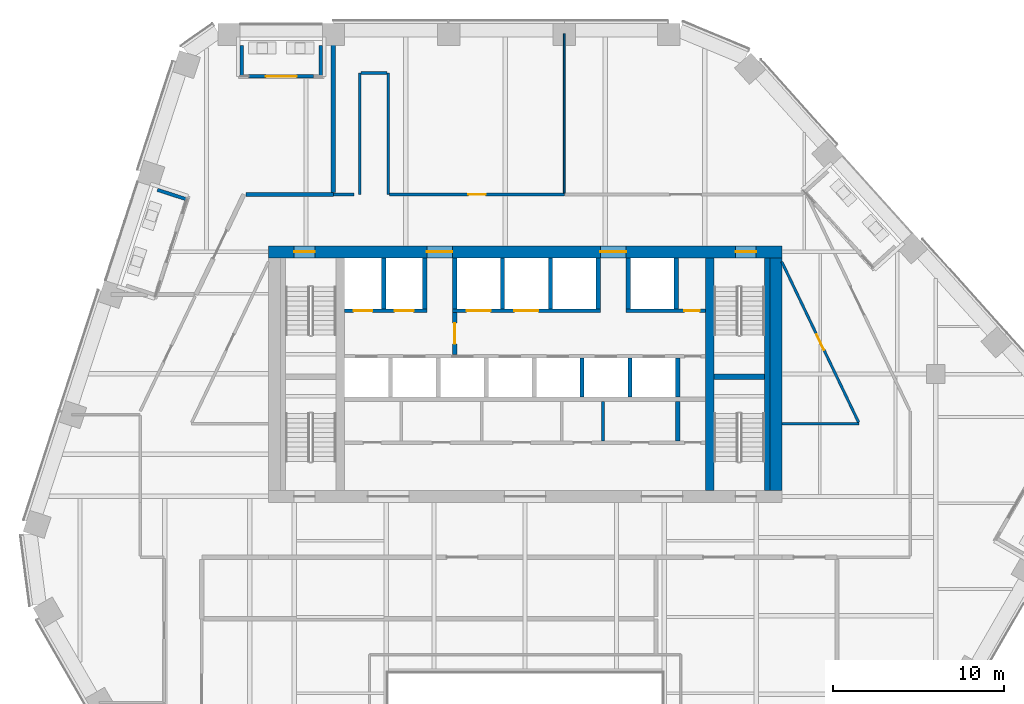
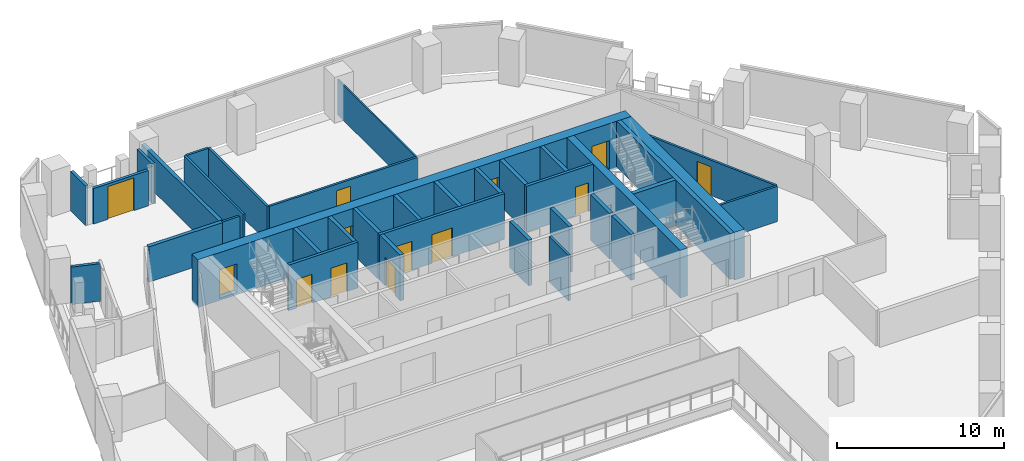
# One storey, part 21 of 26: 36 walls, 13 doors, 13 openings.
"""IFC4 building model written with IfcOpenShell, lengths in metres."""

from ifc_helpers import new_model, si_unit, direction, frame, frame_2d, origin, place, context, subcontext, project, spatial, rectangle, extrude, material, layer, layer_set, type_object, element, fill, save


model = new_model("IFC4")

# Units and contexts
model_context = context("Model", 3, precision=1e-05, world=origin(), true_north=direction((0.0, 1.0)))
body_context = subcontext(model_context, "Body", "Model", "MODEL_VIEW")
ifc_project = project(units=[si_unit("LENGTHUNIT", "METRE"), si_unit("AREAUNIT", "SQUARE_METRE"), si_unit("VOLUMEUNIT", "CUBIC_METRE"), si_unit("PLANEANGLEUNIT", "RADIAN"), si_unit("MASSUNIT", "GRAM", prefix="KILO")], contexts=[model_context])

# Site, building, storey
site_placement = place(None, origin())
site = spatial("IfcSite", under=ifc_project, at=site_placement, CompositionType="ELEMENT")
building_placement = place(site_placement, origin())
building = spatial("IfcBuilding", under=site, at=building_placement, Name="Isthmus Gate Tower", CompositionType="ELEMENT")
storey_placement = place(building_placement, frame((0.0, 0.0, 203.64990234375)))
storey = spatial("IfcBuildingStorey", under=building, at=storey_placement, Name="L51", CompositionType="ELEMENT", Elevation=203.64990234375)

# Walls
ifc_material_1 = material(Name="Double-leaf acoustic stud wall, fire-rated", Category="gypsum")
ifc_layer_1 = layer(ifc_material_1, 0.25)
ifc_layer_set_1 = layer_set([ifc_layer_1], Name="ACOUSTIC WALL 250 60 MIN")
wall_type_1 = type_object("IfcWallType", Name="ACOUSTIC WALL 250 60 MIN", PredefinedType="PARTITIONING", material=ifc_layer_set_1)
wall_1_placement = place(storey_placement, frame((-16.320068359375, 18.0, 0.0), z_axis=(0.0, 0.0, 1.0), x_axis=(1.0, 0.0, 0.0)))
element("IfcWall", 1, at=wall_1_placement, inside=storey, type_object=wall_type_1, Name="L51 Acoustic Wall 250 60 Min", PredefinedType="PARTITIONING", context=body_context, shape_type="SweptSolid", body=[
    extrude(rectangle(XDim=5.108154296875, YDim=0.25, at=frame_2d((2.55419921875, 0.0))), origin(), (0.0, 0.0, 1.0), 2.59130859375),
])
wall_2_placement = place(storey_placement, frame((-11.2119140625, 18.125, 0.0), z_axis=(0.0, 0.0, 1.0), x_axis=(0.0, 1.0, 0.0)))
element("IfcWall", 2, at=wall_2_placement, inside=storey, type_object=wall_type_1, Name="L51 Acoustic Wall 250 60 Min", PredefinedType="PARTITIONING", context=body_context, shape_type="SweptSolid", body=[
    extrude(rectangle(XDim=9.27490234375, YDim=0.25, at=frame_2d((4.637451171875, 0.0))), origin(), (0.0, 0.0, 1.0), 2.59130859375),
])
ifc_material_2 = material(Name="Gypsum board on steel studs, fire-rated", Category="steel")
ifc_layer_2 = layer(ifc_material_2, 0.14990234375)
ifc_layer_set_2 = layer_set([ifc_layer_2], Name="CORRIDOR WALL 150 60 MIN")
wall_type_2 = type_object("IfcWallType", Name="CORRIDOR WALL 150 60 MIN", PredefinedType="PARTITIONING", material=ifc_layer_set_2)
wall_3_placement = place(storey_placement, frame((-8.0, 25.10009765625, 0.0), z_axis=(0.0, 0.0, 1.0), x_axis=(0.0, -1.0, 0.0)))
element("IfcWall", 3, at=wall_3_placement, inside=storey, type_object=wall_type_2, Name="L51 Corridor Wall 150 60 Min", PredefinedType="PARTITIONING", context=body_context, shape_type="SweptSolid", body=[
    extrude(rectangle(XDim=7.10009765625, YDim=0.14990234375, at=frame_2d((3.550048828125, 0.0))), origin(), (0.0, 0.0, 1.0), 2.59130859375),
])

# Wall, opening, door
wall_4_placement = place(storey_placement, frame((19.492919921875, 4.675048828125, 0.0), z_axis=(0.0, 0.0, 1.0), x_axis=(-0.43146462293, 0.902129857149, 0.0)))
wall_4 = element("IfcWall", 4, at=wall_4_placement, inside=storey, type_object=wall_type_2, Name="L51 Corridor Wall 150 60 Min", PredefinedType="PARTITIONING", context=body_context, shape_type="SweptSolid", body=[
    extrude(rectangle(XDim=10.4130859375, YDim=0.14990234375, at=frame_2d((5.20654296875, 0.0))), origin(), (0.0, 0.0, 1.0), 2.59130859375),
])
opening_1_placement = place(wall_4_placement, frame((4.6982421875, 0.0, 0.0)))
opening_1 = element("IfcOpeningElement", 5, at=opening_1_placement, cuts=wall_4, Name="Opening DT-T4D-07", PredefinedType="OPENING", context=body_context, shape_type="SweptSolid", body=[
    extrude(rectangle(XDim=1.0, YDim=2.10009765625, at=frame_2d((0.5, 1.050048828125))), frame((0.0, 0.0849609375, 0.0), z_axis=(0.0, -1.0, 0.0), x_axis=(1.0, 0.0, 0.0)), (0.0, 0.0, 1.0), 0.169921875),
])
ifc_material_3 = material(Name="Solid core timber door leaf, fire-rated", Category="wood")
door_type_1 = type_object("IfcDoorType", Name="FIRE DOOR ROOM 1000 X 2100 60 MIN", OperationType="SINGLE_SWING_LEFT", PredefinedType="DOOR", material=ifc_material_3)
door_1_placement = place(opening_1_placement, origin())
door_1 = element("IfcDoor", 6, at=door_1_placement, inside=storey, type_object=door_type_1, Name="L51 room door", OperationType="SINGLE_SWING_RIGHT", OverallHeight=2.10009765625, OverallWidth=1.0, PredefinedType="DOOR", context=body_context, shape_type="SweptSolid", body=[
    extrude(rectangle(XDim=1.0, YDim=2.10009765625, at=frame_2d((0.5, 1.050048828125))), frame((0.0, 0.02490234375, 0.0), z_axis=(0.0, -1.0, 0.0), x_axis=(1.0, 0.0, 0.0)), (0.0, 0.0, 1.0), 0.050048828125),
])
fill(opening_1, door_1)

# Walls
wall_5_placement = place(storey_placement, frame((-11.2119140625, 18.0, 0.0), z_axis=(0.0, 0.0, 1.0), x_axis=(1.0, 0.0, 0.0)))
element("IfcWall", 7, at=wall_5_placement, inside=storey, type_object=wall_type_2, Name="L51 Corridor Wall 150 60 Min", PredefinedType="PARTITIONING", context=body_context, shape_type="SweptSolid", body=[
    extrude(rectangle(XDim=1.2099609375, YDim=0.14990234375, at=frame_2d((0.60498046875, 0.0))), origin(), (0.0, 0.0, 1.0), 2.59130859375),
])
wall_6_placement = place(storey_placement, frame((-9.659912109375, 17.998046875, 0.0), z_axis=(0.0, 0.0, 1.0), x_axis=(0.0, 1.0, 0.0)))
element("IfcWall", 8, at=wall_6_placement, inside=storey, type_object=wall_type_2, Name="L51 Corridor Wall 150 60 Min", PredefinedType="PARTITIONING", context=body_context, shape_type="SweptSolid", body=[
    extrude(rectangle(XDim=7.10205078125, YDim=0.14990234375, at=frame_2d((3.551025390625, 0.0))), origin(), (0.0, 0.0, 1.0), 2.59130859375),
])
wall_7_placement = place(storey_placement, frame((-9.5849609375, 25.10009765625, 0.0), z_axis=(0.0, 0.0, 1.0), x_axis=(1.0, 0.0, 0.0)))
element("IfcWall", 9, at=wall_7_placement, inside=storey, type_object=wall_type_2, Name="L51 Corridor Wall 150 60 Min", PredefinedType="PARTITIONING", context=body_context, shape_type="SweptSolid", body=[
    extrude(rectangle(XDim=1.510009765625, YDim=0.14990234375, at=frame_2d((0.7548828125, 0.0))), origin(), (0.0, 0.0, 1.0), 2.59130859375),
])

# Wall, opening, door
wall_8_placement = place(storey_placement, frame((-7.925048828125, 18.0, 0.0), z_axis=(0.0, 0.0, 1.0), x_axis=(1.0, 0.0, 0.0)))
wall_8 = element("IfcWall", 10, at=wall_8_placement, inside=storey, type_object=wall_type_2, Name="L51 Corridor Wall 150 60 Min", PredefinedType="PARTITIONING", context=body_context, shape_type="SweptSolid", body=[
    extrude(rectangle(XDim=10.213134765625, YDim=0.14990234375, at=frame_2d((5.1064453125, 0.0))), origin(), (0.0, 0.0, 1.0), 2.59130859375),
])
opening_2_placement = place(wall_8_placement, frame((4.6064453125, 0.0, 0.0)))
opening_2 = element("IfcOpeningElement", 11, at=opening_2_placement, cuts=wall_8, Name="Opening DT-T4D-01", PredefinedType="OPENING", context=body_context, shape_type="SweptSolid", body=[
    extrude(rectangle(XDim=1.0, YDim=2.10009765625, at=frame_2d((0.5, 1.050048828125))), frame((0.0, 0.0849609375, 0.0), z_axis=(0.0, -1.0, 0.0), x_axis=(1.0, 0.0, 0.0)), (0.0, 0.0, 1.0), 0.169921875),
])
door_2_placement = place(opening_2_placement, origin())
door_2 = element("IfcDoor", 12, at=door_2_placement, inside=storey, type_object=door_type_1, Name="L51 room door", OperationType="SINGLE_SWING_RIGHT", OverallHeight=2.10009765625, OverallWidth=1.0, PredefinedType="DOOR", context=body_context, shape_type="SweptSolid", body=[
    extrude(rectangle(XDim=1.0, YDim=2.10009765625, at=frame_2d((0.5, 1.050048828125))), frame((0.0, 0.02490234375, 0.0), z_axis=(0.0, -1.0, 0.0), x_axis=(1.0, 0.0, 0.0)), (0.0, 0.0, 1.0), 0.050048828125),
])
fill(opening_2, door_2)

# Wall
wall_9_placement = place(storey_placement, frame((15.0, 4.60009765625, 0.0), z_axis=(0.0, 0.0, 1.0), x_axis=(1.0, 0.0, 0.0)))
element("IfcWall", 13, at=wall_9_placement, inside=storey, type_object=wall_type_2, Name="L51 Corridor Wall 150 60 Min", PredefinedType="PARTITIONING", context=body_context, shape_type="SweptSolid", body=[
    extrude(rectangle(XDim=4.5, YDim=0.14990234375, at=frame_2d((2.25, 0.0))), origin(), (0.0, 0.0, 1.0), 2.59130859375),
])

# Wall, opening, door
ifc_material_4 = material(Name="Fire-rated blockwork masonry, 15 MPa", Category="masonry")
ifc_layer_3 = layer(ifc_material_4, 0.25)
ifc_layer_set_3 = layer_set([ifc_layer_3], Name="FIRE-FIGHTING LOBBY WALL 250 90 MIN")
wall_type_3 = type_object("IfcWallType", Name="FIRE-FIGHTING LOBBY WALL 250 90 MIN", PredefinedType="PARTITIONING", material=ifc_layer_set_3)
wall_10_placement = place(storey_placement, frame((-4.125, 8.64990234375, 0.0), z_axis=(0.0, 0.0, 1.0), x_axis=(0.0, 1.0, 0.0)))
wall_10 = element("IfcWall", 14, at=wall_10_placement, inside=storey, type_object=wall_type_3, Name="L51 FIRE-FIGHTING LOBBY WALL 250 90 MIN", PredefinedType="PARTITIONING", context=body_context, shape_type="SweptSolid", body=[
    extrude(rectangle(XDim=2.4501953125, YDim=0.25, at=frame_2d((1.22509765625, 0.0))), origin(), (0.0, 0.0, 1.0), 3.35009765625),
])
opening_3_placement = place(wall_10_placement, frame((0.625, 0.0, 0.0)))
opening_3 = element("IfcOpeningElement", 15, at=opening_3_placement, cuts=wall_10, Name="Opening DC-A10-01", PredefinedType="OPENING", context=body_context, shape_type="SweptSolid", body=[
    extrude(rectangle(XDim=1.199951171875, YDim=2.10009765625, at=frame_2d((0.60009765625, 1.050048828125))), frame((0.0, 0.135009765625, 0.0), z_axis=(0.0, -1.0, 0.0), x_axis=(1.0, 0.0, 0.0)), (0.0, 0.0, 1.0), 0.27001953125),
])
ifc_material_5 = material(Name="Steel door leaf, fire-rated", Category="steel")
door_type_2 = type_object("IfcDoorType", Name="LOBBY FIRE DOOR 1200 X 2100 90 MIN", OperationType="DOUBLE_DOOR_SINGLE_SWING", PredefinedType="DOOR", material=ifc_material_5)
door_3_placement = place(opening_3_placement, origin())
door_3 = element("IfcDoor", 16, at=door_3_placement, inside=storey, type_object=door_type_2, Name="Fire-fighting Lobby Door", OperationType="SINGLE_SWING_LEFT", OverallHeight=2.10009765625, OverallWidth=1.199951171875, PredefinedType="DOOR", context=body_context, shape_type="SweptSolid", body=[
    extrude(rectangle(XDim=1.199951171875, YDim=2.10009765625, at=frame_2d((0.60009765625, 1.050048828125))), frame((0.0, 0.02490234375, 0.0), z_axis=(0.0, -1.0, 0.0), x_axis=(1.0, 0.0, 0.0)), (0.0, 0.0, 1.0), 0.050048828125),
])
fill(opening_3, door_3)

ifc_material_6 = material(Name="Precast concrete C40/50", Category="concrete")
ifc_layer_4 = layer(ifc_material_6, 0.199951171875)
ifc_layer_set_4 = layer_set([ifc_layer_4], Name="LOGGIA WALL 200")
wall_type_4 = type_object("IfcWallType", Name="LOGGIA WALL 200", PredefinedType="SOLIDWALL", material=ifc_layer_set_4)
wall_11_placement = place(storey_placement, frame((-12.36181640625, 24.89990234375, 0.0), z_axis=(0.0, 0.0, 1.0), x_axis=(-1.0, 0.0, 0.0)))
wall_11 = element("IfcWall", 17, at=wall_11_placement, inside=storey, type_object=wall_type_4, Name="LOGGIA BACK WALL", PredefinedType="SOLIDWALL", context=body_context, shape_type="SweptSolid", body=[
    extrude(rectangle(XDim=3.800048828125, YDim=0.199951171875, at=frame_2d((1.89990234375, 0.0))), origin(), (0.0, 0.0, 1.0), 2.600830078125),
])
opening_4_placement = place(wall_11_placement, frame((1.0, 0.0, 0.0)))
opening_4 = element("IfcOpeningElement", 18, at=opening_4_placement, cuts=wall_11, Name="Opening DE51-01", PredefinedType="OPENING", context=body_context, shape_type="SweptSolid", body=[
    extrude(rectangle(XDim=1.800048828125, YDim=2.39990234375, at=frame_2d((0.89990234375, 1.199951171875))), frame((0.0, 0.10986328125, 0.0), z_axis=(0.0, -1.0, 0.0), x_axis=(1.0, 0.0, 0.0)), (0.0, 0.0, 1.0), 0.219970703125),
])
ifc_material_7 = material(Name="Aluminium, pale champagne anodised, laminated glass", Category="aluminium")
door_type_3 = type_object("IfcDoorType", Name="LOGGIA DOOR SLIDING 1800 X 2400", OperationType="DOUBLE_DOOR_SLIDING", PredefinedType="DOOR", material=ifc_material_7)
door_4_placement = place(opening_4_placement, origin())
door_4 = element("IfcDoor", 19, at=door_4_placement, inside=storey, type_object=door_type_3, Name="DOOR DE51-01", OperationType="SINGLE_SWING_LEFT", OverallHeight=2.39990234375, OverallWidth=1.800048828125, PredefinedType="DOOR", context=body_context, shape_type="SweptSolid", body=[
    extrude(rectangle(XDim=1.800048828125, YDim=2.39990234375, at=frame_2d((0.89990234375, 1.199951171875))), frame((0.0, 0.02490234375, 0.0), z_axis=(0.0, -1.0, 0.0), x_axis=(1.0, 0.0, 0.0)), (0.0, 0.0, 1.0), 0.050048828125),
])
fill(opening_4, door_4)

# Walls
for number, where, z_axis, x_axis, name in (
    (20, (-11.9619140625, 26.699951171875, 0.0), (0.0, 0.0, 1.0), (0.0, -1.0, 0.0), "LOGGIA SIDE WALL"),
    (21, (-16.56201171875, 26.699951171875, 0.0), (0.0, 0.0, 1.0), (0.0, -1.0, 0.0), "LOGGIA SIDE WALL"),
):
    element("IfcWall", number, at=place(storey_placement, frame(where, z_axis=z_axis, x_axis=x_axis)), inside=storey, type_object=wall_type_4, Name=name, PredefinedType="SOLIDWALL", context=body_context, shape_type="SweptSolid", body=[
        extrude(rectangle(XDim=1.783935546875, YDim=0.199951171875, at=frame_2d((0.89208984375, 0.0))), origin(), (0.0, 0.0, 1.0), 2.900146484375),
    ])
wall_12_placement = place(storey_placement, frame((-21.494140625, 18.270751953125, 0.0), z_axis=(0.0, 0.0, 1.0), x_axis=(0.951064233263, -0.30899324298, 0.0)))
element("IfcWall", 22, at=wall_12_placement, inside=storey, type_object=wall_type_4, Name="LOGGIA SIDE WALL", PredefinedType="SOLIDWALL", context=body_context, shape_type="SweptSolid", body=[
    extrude(rectangle(XDim=1.7841796875, YDim=0.199951171875, at=frame_2d((0.89208984375, 0.0))), origin(), (0.0, 0.0, 1.0), 2.746826171875),
])
ifc_material_8 = material(Name="Concrete f'c 60 MPa", Category="concrete")
ifc_layer_5 = layer(ifc_material_8, 0.5)
ifc_layer_set_5 = layer_set([ifc_layer_5], Name="RC CORE SPINE WALL 500 F'C 60")
wall_type_5 = type_object("IfcWallType", Name="RC CORE SPINE WALL 500 F'C 60", PredefinedType="SOLIDWALL", material=ifc_layer_set_5)
wall_13_placement = place(storey_placement, frame((10.800048828125, 0.699951171875, -0.14990234375), z_axis=(0.0, 0.0, 1.0), x_axis=(0.0, 1.0, 0.0)))
element("IfcWall", 23, at=wall_13_placement, inside=storey, type_object=wall_type_5, Name="str-corewall-L51-SPE", PredefinedType="SOLIDWALL", context=body_context, shape_type="SweptSolid", body=[
    extrude(rectangle(XDim=13.60009765625, YDim=0.5, at=frame_2d((6.800048828125, 0.0))), origin(), (0.0, 0.0, 1.0), 3.5),
])

# Wall, openings, doors
ifc_material_9 = material(Name="Concrete f'c 60 MPa", Category="concrete")
ifc_layer_6 = layer(ifc_material_9, 0.699951171875)
ifc_layer_set_6 = layer_set([ifc_layer_6], Name="RC CORE WALL 700 F'C 60")
wall_type_6 = type_object("IfcWallType", Name="RC CORE WALL 700 F'C 60", PredefinedType="SOLIDWALL", material=ifc_layer_set_6)
wall_14_placement = place(storey_placement, frame((-15.0, 14.64990234375, -0.14990234375), z_axis=(0.0, 0.0, 1.0), x_axis=(1.0, 0.0, 0.0)))
wall_14 = element("IfcWall", 24, at=wall_14_placement, inside=storey, type_object=wall_type_6, Name="str-corewall-L51-N", PredefinedType="SOLIDWALL", context=body_context, shape_type="SweptSolid", body=[
    extrude(rectangle(XDim=30.0, YDim=0.699951171875, at=frame_2d((15.0, 0.0))), origin(), (0.0, 0.0, 1.0), 3.5),
])
opening_5_placement = place(wall_14_placement, frame((9.25, 0.0, 0.14990234375)))
opening_5 = element("IfcOpeningElement", 25, at=opening_5_placement, cuts=wall_14, Name="Opening DC-A10-13", PredefinedType="OPENING", context=body_context, shape_type="SweptSolid", body=[
    extrude(rectangle(XDim=1.5, YDim=2.10009765625, at=frame_2d((0.75, 1.050048828125))), frame((0.0, 0.35986328125, 0.0), z_axis=(0.0, -1.0, 0.0), x_axis=(1.0, 0.0, 0.0)), (0.0, 0.0, 1.0), 0.719970703125),
])
opening_6_placement = place(wall_14_placement, frame((19.39990234375, 0.0, 0.14990234375)))
opening_6 = element("IfcOpeningElement", 26, at=opening_6_placement, cuts=wall_14, Name="Opening DC-A10-14", PredefinedType="OPENING", context=body_context, shape_type="SweptSolid", body=[
    extrude(rectangle(XDim=1.5, YDim=2.10009765625, at=frame_2d((0.75, 1.050048828125))), frame((0.0, 0.35986328125, 0.0), z_axis=(0.0, -1.0, 0.0), x_axis=(1.0, 0.0, 0.0)), (0.0, 0.0, 1.0), 0.719970703125),
])
opening_7_placement = place(wall_14_placement, frame((1.5, 0.0, 0.14990234375)))
opening_7 = element("IfcOpeningElement", 27, at=opening_7_placement, cuts=wall_14, Name="Opening DC-A10-15", PredefinedType="OPENING", context=body_context, shape_type="SweptSolid", body=[
    extrude(rectangle(XDim=1.199951171875, YDim=2.10009765625, at=frame_2d((0.60009765625, 1.050048828125))), frame((0.0, 0.35986328125, 0.0), z_axis=(0.0, -1.0, 0.0), x_axis=(1.0, 0.0, 0.0)), (0.0, 0.0, 1.0), 0.719970703125),
])
opening_8_placement = place(wall_14_placement, frame((27.300048828125, 0.0, 0.14990234375)))
opening_8 = element("IfcOpeningElement", 28, at=opening_8_placement, cuts=wall_14, Name="Opening DC-A10-16", PredefinedType="OPENING", context=body_context, shape_type="SweptSolid", body=[
    extrude(rectangle(XDim=1.199951171875, YDim=2.10009765625, at=frame_2d((0.60009765625, 1.050048828125))), frame((0.0, 0.35986328125, 0.0), z_axis=(0.0, -1.0, 0.0), x_axis=(1.0, 0.0, 0.0)), (0.0, 0.0, 1.0), 0.719970703125),
])
ifc_material_10 = material(Name="Steel door leaf, fire-rated", Category="steel")
door_type_4 = type_object("IfcDoorType", Name="LOBBY FIRE DOOR 1500 X 2100 60 MIN", OperationType="DOUBLE_DOOR_SINGLE_SWING", PredefinedType="DOOR", material=ifc_material_10)
door_5_placement = place(opening_6_placement, origin())
door_5 = element("IfcDoor", 29, at=door_5_placement, inside=storey, type_object=door_type_4, Name="Lobby Door PN-E", OperationType="DOUBLE_DOOR_SINGLE_SWING", OverallHeight=2.10009765625, OverallWidth=1.5, PredefinedType="DOOR", context=body_context, shape_type="SweptSolid", body=[
    extrude(rectangle(XDim=1.5, YDim=2.10009765625, at=frame_2d((0.75, 1.050048828125))), frame((0.0, 0.02490234375, 0.0), z_axis=(0.0, -1.0, 0.0), x_axis=(1.0, 0.0, 0.0)), (0.0, 0.0, 1.0), 0.050048828125),
])
fill(opening_6, door_5)
ifc_material_11 = material(Name="Steel door leaf, fire-rated", Category="steel")
door_type_5 = type_object("IfcDoorType", Name="LOBBY FIRE DOOR 1500 X 2100 90 MIN", OperationType="DOUBLE_DOOR_SINGLE_SWING", PredefinedType="DOOR", material=ifc_material_11)
door_6_placement = place(opening_5_placement, origin())
door_6 = element("IfcDoor", 30, at=door_6_placement, inside=storey, type_object=door_type_5, Name="Lobby Door PN-W", OperationType="DOUBLE_DOOR_SINGLE_SWING", OverallHeight=2.10009765625, OverallWidth=1.5, PredefinedType="DOOR", context=body_context, shape_type="SweptSolid", body=[
    extrude(rectangle(XDim=1.5, YDim=2.10009765625, at=frame_2d((0.75, 1.050048828125))), frame((0.0, 0.02490234375, 0.0), z_axis=(0.0, -1.0, 0.0), x_axis=(1.0, 0.0, 0.0)), (0.0, 0.0, 1.0), 0.050048828125),
])
fill(opening_5, door_6)
ifc_material_12 = material(Name="Steel door leaf, fire-rated", Category="steel")
door_type_6 = type_object("IfcDoorType", Name="STAIR FIRE DOOR 1200 X 2100 90 MIN", OperationType="SINGLE_SWING_LEFT", PredefinedType="DOOR", material=ifc_material_12)
door_7_placement = place(opening_7_placement, origin())
door_7 = element("IfcDoor", 31, at=door_7_placement, inside=storey, type_object=door_type_6, Name="Exit Stair 1 Door", OperationType="SINGLE_SWING_RIGHT", OverallHeight=2.10009765625, OverallWidth=1.199951171875, PredefinedType="DOOR", context=body_context, shape_type="SweptSolid", body=[
    extrude(rectangle(XDim=1.199951171875, YDim=2.10009765625, at=frame_2d((0.60009765625, 1.050048828125))), frame((0.0, 0.02490234375, 0.0), z_axis=(0.0, -1.0, 0.0), x_axis=(1.0, 0.0, 0.0)), (0.0, 0.0, 1.0), 0.050048828125),
])
fill(opening_7, door_7)
door_8_placement = place(opening_8_placement, origin())
door_8 = element("IfcDoor", 32, at=door_8_placement, inside=storey, type_object=door_type_6, Name="Exit Stair 2 Door", OperationType="SINGLE_SWING_LEFT", OverallHeight=2.10009765625, OverallWidth=1.199951171875, PredefinedType="DOOR", context=body_context, shape_type="SweptSolid", body=[
    extrude(rectangle(XDim=1.199951171875, YDim=2.10009765625, at=frame_2d((0.60009765625, 1.050048828125))), frame((0.0, 0.02490234375, 0.0), z_axis=(0.0, -1.0, 0.0), x_axis=(1.0, 0.0, 0.0)), (0.0, 0.0, 1.0), 0.050048828125),
])
fill(opening_8, door_8)

# Walls
wall_15_placement = place(storey_placement, frame((14.64990234375, 0.699951171875, -0.14990234375), z_axis=(0.0, 0.0, 1.0), x_axis=(0.0, 1.0, 0.0)))
element("IfcWall", 33, at=wall_15_placement, inside=storey, type_object=wall_type_6, Name="str-corewall-L51-E", PredefinedType="SOLIDWALL", context=body_context, shape_type="SweptSolid", body=[
    extrude(rectangle(XDim=13.60009765625, YDim=0.699951171875, at=frame_2d((6.800048828125, 0.0))), origin(), (0.0, 0.0, 1.0), 3.5),
])
ifc_material_13 = material(Name="Gypsum board on steel studs, fire-rated", Category="steel")
ifc_layer_7 = layer(ifc_material_13, 0.10009765625)
ifc_layer_set_7 = layer_set([ifc_layer_7], Name="ROOM PARTITION 100 30 MIN")
wall_type_7 = type_object("IfcWallType", Name="ROOM PARTITION 100 30 MIN", PredefinedType="PARTITIONING", material=ifc_layer_set_7)
wall_16_placement = place(storey_placement, frame((2.2880859375, 18.074951171875, 0.0), z_axis=(0.0, 0.0, 1.0), x_axis=(0.0, 1.0, 0.0)))
element("IfcWall", 34, at=wall_16_placement, inside=storey, type_object=wall_type_7, Name="L51 Room Partition 100 30 Min", PredefinedType="PARTITIONING", context=body_context, shape_type="SweptSolid", body=[
    extrude(rectangle(XDim=9.324951171875, YDim=0.10009765625, at=frame_2d((4.66259765625, 0.0))), origin(), (0.0, 0.0, 1.0), 2.59130859375),
])
ifc_material_14 = material(Name="Gypsum board on steel studs, fire-rated", Category="steel")
ifc_layer_8 = layer(ifc_material_14, 0.14990234375)
ifc_layer_set_8 = layer_set([ifc_layer_8], Name="ROOM PARTITION 150 60 MIN")
wall_type_8 = type_object("IfcWallType", Name="ROOM PARTITION 150 60 MIN", PredefinedType="PARTITIONING", material=ifc_layer_set_8)
wall_17_placement = place(storey_placement, frame((4.550048828125, 3.60009765625, 0.0), z_axis=(0.0, 0.0, 1.0), x_axis=(0.0, 1.0, 0.0)))
element("IfcWall", 35, at=wall_17_placement, inside=storey, type_object=wall_type_8, Name="L51 ROOM PARTITION 150 60 MIN", PredefinedType="PARTITIONING", context=body_context, shape_type="SweptSolid", body=[
    extrude(rectangle(XDim=2.2998046875, YDim=0.14990234375, at=frame_2d((1.14990234375, 0.0))), origin(), (0.0, 0.0, 1.0), 3.35009765625),
])

# Wall, openings, doors
ifc_material_15 = material(Name="Fire-rated blockwork masonry, 15 MPa", Category="masonry")
ifc_layer_9 = layer(ifc_material_15, 0.199951171875)
ifc_layer_set_9 = layer_set([ifc_layer_9], Name="SHAFT FRONT WALL 200 120 MIN")
wall_type_9 = type_object("IfcWallType", Name="SHAFT FRONT WALL 200 120 MIN", PredefinedType="PARTITIONING", material=ifc_layer_set_9)
wall_18_placement = place(storey_placement, frame((-10.550048828125, 11.199951171875, 0.0), z_axis=(0.0, 0.0, 1.0), x_axis=(1.0, 0.0, 0.0)))
wall_18 = element("IfcWall", 36, at=wall_18_placement, inside=storey, type_object=wall_type_9, Name="L51 SHAFT FRONT WALL 200 120 MIN", PredefinedType="PARTITIONING", context=body_context, shape_type="SweptSolid", body=[
    extrude(rectangle(XDim=4.800048828125, YDim=0.199951171875, at=frame_2d((2.39990234375, 0.0))), origin(), (0.0, 0.0, 1.0), 3.35009765625),
])
opening_9_placement = place(wall_18_placement, frame((0.52490234375, 0.0, 0.0)))
opening_9 = element("IfcOpeningElement", 37, at=opening_9_placement, cuts=wall_18, Name="Opening LD-LF1", PredefinedType="OPENING", context=body_context, shape_type="SweptSolid", body=[
    extrude(rectangle(XDim=1.10009765625, YDim=2.10009765625, at=frame_2d((0.550048828125, 1.050048828125))), frame((0.0, 0.10986328125, 0.0), z_axis=(0.0, -1.0, 0.0), x_axis=(1.0, 0.0, 0.0)), (0.0, 0.0, 1.0), 0.219970703125),
])
opening_10_placement = place(wall_18_placement, frame((2.925048828125, 0.0, 0.0)))
opening_10 = element("IfcOpeningElement", 38, at=opening_10_placement, cuts=wall_18, Name="Opening LD-LF2", PredefinedType="OPENING", context=body_context, shape_type="SweptSolid", body=[
    extrude(rectangle(XDim=1.10009765625, YDim=2.10009765625, at=frame_2d((0.550048828125, 1.050048828125))), frame((0.0, 0.10986328125, 0.0), z_axis=(0.0, -1.0, 0.0), x_axis=(1.0, 0.0, 0.0)), (0.0, 0.0, 1.0), 0.219970703125),
])
ifc_material_16 = material(Name="Stainless steel sliding leaf", Category="steel")
door_type_7 = type_object("IfcDoorType", Name="LIFT LANDING FIRE DOOR 1100 X 2100 90 MIN", OperationType="DOUBLE_DOOR_SLIDING", PredefinedType="DOOR", material=ifc_material_16)
door_9_placement = place(opening_9_placement, origin())
door_9 = element("IfcDoor", 39, at=door_9_placement, inside=storey, type_object=door_type_7, Name="Lift Landing Door LF1", OperationType="DOUBLE_DOOR_SLIDING", OverallHeight=2.10009765625, OverallWidth=1.10009765625, PredefinedType="DOOR", context=body_context, shape_type="SweptSolid", body=[
    extrude(rectangle(XDim=1.10009765625, YDim=2.10009765625, at=frame_2d((0.550048828125, 1.050048828125))), frame((0.0, 0.02490234375, 0.0), z_axis=(0.0, -1.0, 0.0), x_axis=(1.0, 0.0, 0.0)), (0.0, 0.0, 1.0), 0.050048828125),
])
fill(opening_9, door_9)
door_10_placement = place(opening_10_placement, origin())
door_10 = element("IfcDoor", 40, at=door_10_placement, inside=storey, type_object=door_type_7, Name="Lift Landing Door LF2", OperationType="DOUBLE_DOOR_SLIDING", OverallHeight=2.10009765625, OverallWidth=1.10009765625, PredefinedType="DOOR", context=body_context, shape_type="SweptSolid", body=[
    extrude(rectangle(XDim=1.10009765625, YDim=2.10009765625, at=frame_2d((0.550048828125, 1.050048828125))), frame((0.0, 0.02490234375, 0.0), z_axis=(0.0, -1.0, 0.0), x_axis=(1.0, 0.0, 0.0)), (0.0, 0.0, 1.0), 0.050048828125),
])
fill(opening_10, door_10)

wall_19_placement = place(storey_placement, frame((-4.25, 11.199951171875, 0.0), z_axis=(0.0, 0.0, 1.0), x_axis=(1.0, 0.0, 0.0)))
wall_19 = element("IfcWall", 41, at=wall_19_placement, inside=storey, type_object=wall_type_9, Name="L51 SHAFT FRONT WALL 200 120 MIN", PredefinedType="PARTITIONING", context=body_context, shape_type="SweptSolid", body=[
    extrude(rectangle(XDim=8.64990234375, YDim=0.199951171875, at=frame_2d((4.324951171875, 0.0))), origin(), (0.0, 0.0, 1.0), 3.35009765625),
])
opening_11_placement = place(wall_19_placement, frame((0.824951171875, 0.0, 0.0)))
opening_11 = element("IfcOpeningElement", 42, at=opening_11_placement, cuts=wall_19, Name="Opening LD-LV1", PredefinedType="OPENING", context=body_context, shape_type="SweptSolid", body=[
    extrude(rectangle(XDim=1.39990234375, YDim=2.10009765625, at=frame_2d((0.699951171875, 1.050048828125))), frame((0.0, 0.10986328125, 0.0), z_axis=(0.0, -1.0, 0.0), x_axis=(1.0, 0.0, 0.0)), (0.0, 0.0, 1.0), 0.219970703125),
])
opening_12_placement = place(wall_19_placement, frame((3.625, 0.0, 0.0)))
opening_12 = element("IfcOpeningElement", 43, at=opening_12_placement, cuts=wall_19, Name="Opening LD-LV2", PredefinedType="OPENING", context=body_context, shape_type="SweptSolid", body=[
    extrude(rectangle(XDim=1.39990234375, YDim=2.10009765625, at=frame_2d((0.699951171875, 1.050048828125))), frame((0.0, 0.10986328125, 0.0), z_axis=(0.0, -1.0, 0.0), x_axis=(1.0, 0.0, 0.0)), (0.0, 0.0, 1.0), 0.219970703125),
])
ifc_material_17 = material(Name="Stainless steel sliding leaf", Category="steel")
door_type_8 = type_object("IfcDoorType", Name="LIFT LANDING FIRE DOOR 1400 X 2100 90 MIN", OperationType="DOUBLE_DOOR_SLIDING", PredefinedType="DOOR", material=ifc_material_17)
door_11_placement = place(opening_11_placement, origin())
door_11 = element("IfcDoor", 44, at=door_11_placement, inside=storey, type_object=door_type_8, Name="Lift Landing Door LV1", OperationType="DOUBLE_DOOR_SLIDING", OverallHeight=2.10009765625, OverallWidth=1.39990234375, PredefinedType="DOOR", context=body_context, shape_type="SweptSolid", body=[
    extrude(rectangle(XDim=1.39990234375, YDim=2.10009765625, at=frame_2d((0.699951171875, 1.050048828125))), frame((0.0, 0.02490234375, 0.0), z_axis=(0.0, -1.0, 0.0), x_axis=(1.0, 0.0, 0.0)), (0.0, 0.0, 1.0), 0.050048828125),
])
fill(opening_11, door_11)
door_12_placement = place(opening_12_placement, origin())
door_12 = element("IfcDoor", 45, at=door_12_placement, inside=storey, type_object=door_type_8, Name="Lift Landing Door LV2", OperationType="DOUBLE_DOOR_SLIDING", OverallHeight=2.10009765625, OverallWidth=1.39990234375, PredefinedType="DOOR", context=body_context, shape_type="SweptSolid", body=[
    extrude(rectangle(XDim=1.39990234375, YDim=2.10009765625, at=frame_2d((0.699951171875, 1.050048828125))), frame((0.0, 0.02490234375, 0.0), z_axis=(0.0, -1.0, 0.0), x_axis=(1.0, 0.0, 0.0)), (0.0, 0.0, 1.0), 0.050048828125),
])
fill(opening_12, door_12)

# Wall, opening, door
wall_20_placement = place(storey_placement, frame((5.89990234375, 11.199951171875, 0.0), z_axis=(0.0, 0.0, 1.0), x_axis=(1.0, 0.0, 0.0)))
wall_20 = element("IfcWall", 46, at=wall_20_placement, inside=storey, type_object=wall_type_9, Name="L51 SHAFT FRONT WALL 200 120 MIN", PredefinedType="PARTITIONING", context=body_context, shape_type="SweptSolid", body=[
    extrude(rectangle(XDim=4.650146484375, YDim=0.199951171875, at=frame_2d((2.3251953125, 0.0))), origin(), (0.0, 0.0, 1.0), 3.35009765625),
])
opening_13_placement = place(wall_20_placement, frame((3.39990234375, 0.0, 0.0)))
opening_13 = element("IfcOpeningElement", 47, at=opening_13_placement, cuts=wall_20, Name="Opening DC-A10-09", PredefinedType="OPENING", context=body_context, shape_type="SweptSolid", body=[
    extrude(rectangle(XDim=0.89990234375, YDim=2.10009765625, at=frame_2d((0.449951171875, 1.050048828125))), frame((0.0, 0.10986328125, 0.0), z_axis=(0.0, -1.0, 0.0), x_axis=(1.0, 0.0, 0.0)), (0.0, 0.0, 1.0), 0.219970703125),
])
ifc_material_18 = material(Name="Steel door leaf, fire-rated", Category="steel")
door_type_9 = type_object("IfcDoorType", Name="RISER FIRE DOOR 900 X 2100 90 MIN", OperationType="SINGLE_SWING_LEFT", PredefinedType="DOOR", material=ifc_material_18)
door_13_placement = place(opening_13_placement, origin())
door_13 = element("IfcDoor", 48, at=door_13_placement, inside=storey, type_object=door_type_9, Name="Riser Door", OperationType="SINGLE_SWING_LEFT", OverallHeight=2.10009765625, OverallWidth=0.89990234375, PredefinedType="DOOR", context=body_context, shape_type="SweptSolid", body=[
    extrude(rectangle(XDim=0.89990234375, YDim=2.10009765625, at=frame_2d((0.449951171875, 1.050048828125))), frame((0.0, 0.02490234375, 0.0), z_axis=(0.0, -1.0, 0.0), x_axis=(1.0, 0.0, 0.0)), (0.0, 0.0, 1.0), 0.050048828125),
])
fill(opening_13, door_13)

# Walls
ifc_material_19 = material(Name="Fire-rated blockwork masonry, 15 MPa", Category="masonry")
ifc_layer_10 = layer(ifc_material_19, 0.25)
ifc_layer_set_10 = layer_set([ifc_layer_10], Name="SHAFT WALL 250 120 MIN")
wall_type_10 = type_object("IfcWallType", Name="SHAFT WALL 250 120 MIN", PredefinedType="PARTITIONING", material=ifc_layer_set_10)
wall_21_placement = place(storey_placement, frame((8.925048828125, 3.60009765625, 0.0), z_axis=(0.0, 0.0, 1.0), x_axis=(0.0, 1.0, 0.0)))
element("IfcWall", 49, at=wall_21_placement, inside=storey, type_object=wall_type_10, Name="L51 SHAFT WALL 250 120 MIN", PredefinedType="PARTITIONING", context=body_context, shape_type="SweptSolid", body=[
    extrude(rectangle(XDim=2.2998046875, YDim=0.25, at=frame_2d((1.14990234375, 0.0))), origin(), (0.0, 0.0, 1.0), 3.35009765625),
])
for number, where, z_axis, x_axis, name in (
    (50, (3.324951171875, 6.14990234375, 0.0), (0.0, 0.0, 1.0), (0.0, 1.0, 0.0), "L51 SHAFT WALL 250 120 MIN"),
    (51, (6.125, 6.14990234375, 0.0), (0.0, 0.0, 1.0), (0.0, 1.0, 0.0), "L51 SHAFT WALL 250 120 MIN"),
    (52, (8.925048828125, 6.14990234375, 0.0), (0.0, 0.0, 1.0), (0.0, 1.0, 0.0), "L51 SHAFT WALL 250 120 MIN"),
):
    element("IfcWall", number, at=place(storey_placement, frame(where, z_axis=z_axis, x_axis=x_axis)), inside=storey, type_object=wall_type_10, Name=name, PredefinedType="PARTITIONING", context=body_context, shape_type="SweptSolid", body=[
        extrude(rectangle(XDim=2.300048828125, YDim=0.25, at=frame_2d((1.14990234375, 0.0))), origin(), (0.0, 0.0, 1.0), 3.35009765625),
    ])
for number, where, z_axis, x_axis, name in (
    (53, (-8.27490234375, 11.300048828125, 0.0), (0.0, 0.0, 1.0), (0.0, 1.0, 0.0), "L51 SHAFT WALL 250 120 MIN"),
    (54, (-5.875, 11.300048828125, 0.0), (0.0, 0.0, 1.0), (0.0, 1.0, 0.0), "L51 SHAFT WALL 250 120 MIN"),
    (55, (-4.125, 11.300048828125, 0.0), (0.0, 0.0, 1.0), (0.0, 1.0, 0.0), "L51 SHAFT WALL 250 120 MIN"),
    (56, (-1.324951171875, 11.300048828125, 0.0), (0.0, 0.0, 1.0), (0.0, 1.0, 0.0), "L51 SHAFT WALL 250 120 MIN"),
    (57, (1.47509765625, 11.300048828125, 0.0), (0.0, 0.0, 1.0), (0.0, 1.0, 0.0), "L51 SHAFT WALL 250 120 MIN"),
    (58, (4.27490234375, 11.300048828125, 0.0), (0.0, 0.0, 1.0), (0.0, 1.0, 0.0), "L51 SHAFT WALL 250 120 MIN"),
    (59, (6.02490234375, 11.300048828125, 0.0), (0.0, 0.0, 1.0), (0.0, 1.0, 0.0), "L51 SHAFT WALL 250 120 MIN"),
    (60, (8.824951171875, 11.300048828125, 0.0), (0.0, 0.0, 1.0), (0.0, 1.0, 0.0), "L51 SHAFT WALL 250 120 MIN"),
):
    element("IfcWall", number, at=place(storey_placement, frame(where, z_axis=z_axis, x_axis=x_axis)), inside=storey, type_object=wall_type_10, Name=name, PredefinedType="PARTITIONING", context=body_context, shape_type="SweptSolid", body=[
        extrude(rectangle(XDim=3.0, YDim=0.25, at=frame_2d((1.5, 0.0))), origin(), (0.0, 0.0, 1.0), 3.35009765625),
    ])
ifc_material_20 = material(Name="Concrete f'c 40 MPa", Category="concrete")
ifc_layer_11 = layer(ifc_material_20, 0.300048828125)
ifc_layer_set_11 = layer_set([ifc_layer_11], Name="STAIR ENCLOSURE WALL 300 180 MIN")
wall_type_11 = type_object("IfcWallType", Name="STAIR ENCLOSURE WALL 300 180 MIN", PredefinedType="SOLIDWALL", material=ifc_layer_set_11)
wall_22_placement = place(storey_placement, frame((11.050048828125, 7.35009765625, 0.0), z_axis=(0.0, 0.0, 1.0), x_axis=(1.0, 0.0, 0.0)))
element("IfcWall", 61, at=wall_22_placement, inside=storey, type_object=wall_type_11, Name="L51 STAIR ENCLOSURE WALL 300 180 MIN", PredefinedType="SOLIDWALL", context=body_context, shape_type="SweptSolid", body=[
    extrude(rectangle(XDim=2.949951171875, YDim=0.300048828125, at=frame_2d((1.47509765625, 0.0))), origin(), (0.0, 0.0, 1.0), 3.35009765625),
])
wall_23_placement = place(storey_placement, frame((14.14990234375, 0.699951171875, 0.0), z_axis=(0.0, 0.0, 1.0), x_axis=(0.0, 1.0, 0.0)))
element("IfcWall", 62, at=wall_23_placement, inside=storey, type_object=wall_type_11, Name="L51 STAIR ENCLOSURE WALL 300 180 MIN", PredefinedType="SOLIDWALL", context=body_context, shape_type="SweptSolid", body=[
    extrude(rectangle(XDim=13.60009765625, YDim=0.300048828125, at=frame_2d((6.800048828125, 0.0))), origin(), (0.0, 0.0, 1.0), 3.35009765625),
])

save(model, "model.ifc")
